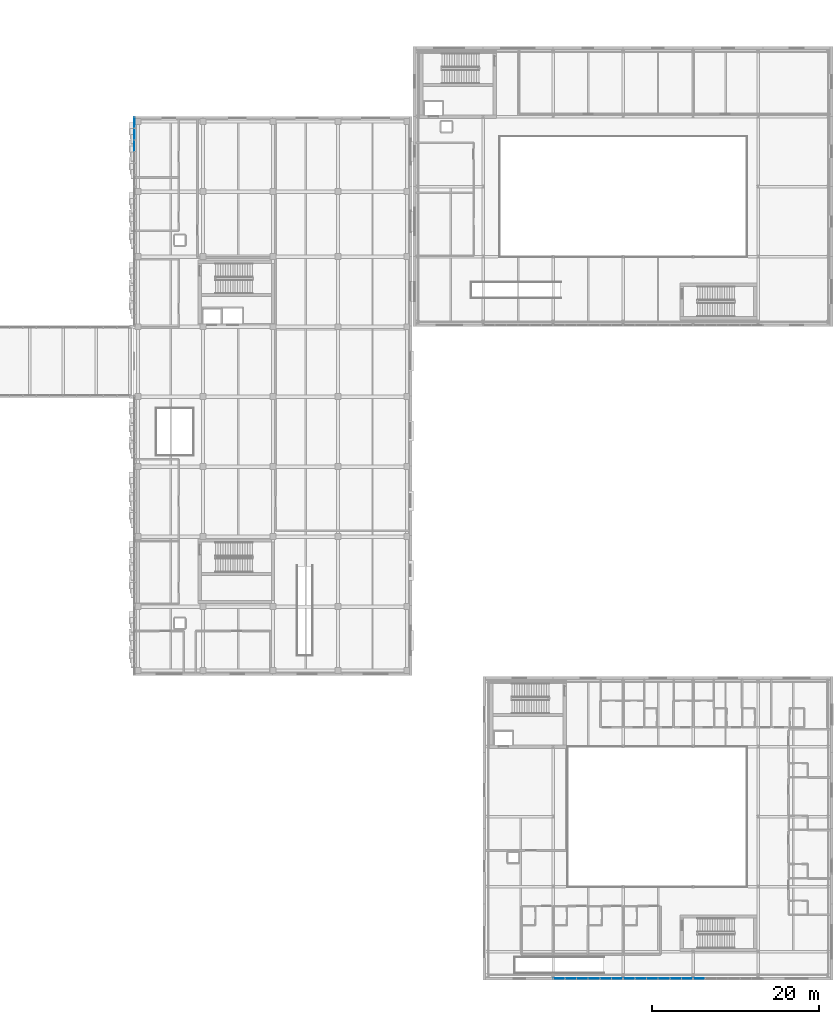
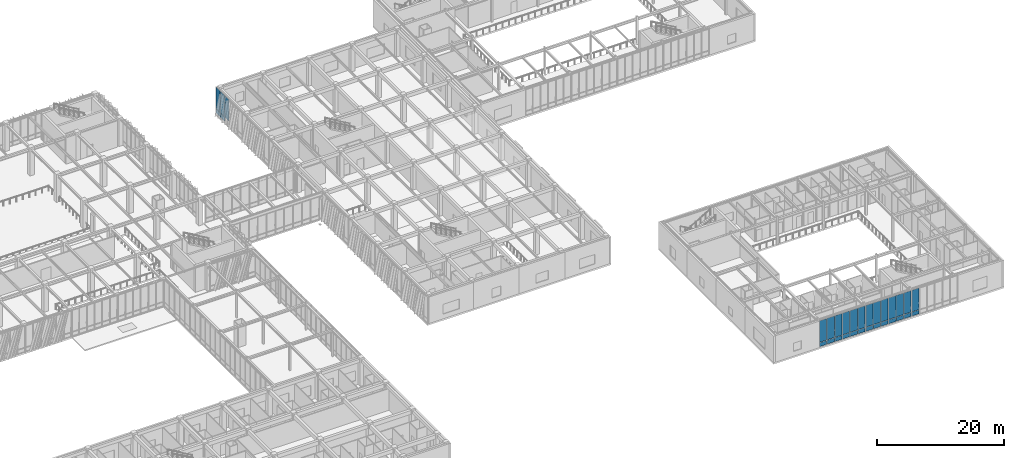
# One storey, part 98 of 139: 31 plates, 4 elements without a shape of their own.
"""IFC4 building model written with IfcOpenShell, lengths in metres."""

from ifc_helpers import new_model, si_unit, direction, frame, origin, origin_2d, place, context, subcontext, project, spatial, rectangle, extrude, material, layer, layer_set, type_object, element, aggregate, save


model = new_model("IFC4")

# Units and contexts
model_context = context("Model", 3, precision=1e-05, world=origin(), true_north=direction((0.0, 1.0)))
body_context = subcontext(model_context, "Body", "Model", "MODEL_VIEW")
ifc_project = project(units=[si_unit("LENGTHUNIT", "METRE"), si_unit("AREAUNIT", "SQUARE_METRE"), si_unit("VOLUMEUNIT", "CUBIC_METRE"), si_unit("PLANEANGLEUNIT", "RADIAN"), si_unit("MASSUNIT", "GRAM", prefix="KILO")], contexts=[model_context])

# Site, building, storey
site_placement = place(None, origin())
site = spatial("IfcSite", under=ifc_project, at=site_placement, CompositionType="ELEMENT")
building_placement = place(site_placement, origin())
building = spatial("IfcBuilding", under=site, at=building_placement, Name="Zayran Congress Hotel", CompositionType="ELEMENT")
storey_placement = place(building_placement, frame((0.0, 0.0, 5.39990234375)))
storey = spatial("IfcBuildingStorey", under=building, at=storey_placement, Name="L01", CompositionType="ELEMENT", Elevation=5.39990234375)

# Curtain wall, plates
ifc_material_1 = material(Name="Anodised aluminium and low-E insulated glass", Category="aluminium")
ifc_layer_1 = layer(ifc_material_1, 0.179931640625)
ifc_layer_set_1 = layer_set([ifc_layer_1], Name="Anodised aluminium and low-E insulated glass")
curtain_wall_type_1 = type_object("IfcCurtainWallType", Name="CW-V3S-L01-CW-V32-8395-5100", PredefinedType="USERDEFINED", material=ifc_layer_set_1)
curtain_wall_1_placement = place(storey_placement, origin())
curtain_wall_1 = element("IfcCurtainWall", 1, at=curtain_wall_1_placement, inside=storey, type_object=curtain_wall_type_1, Name="CW-V3S-L01-1", ObjectType="CURTAIN WALL", PredefinedType="USERDEFINED")
ifc_material_2 = material(Name="Insulated warm bronze aluminium spandrel panel", Category="aluminium")
ifc_layer_2 = layer(ifc_material_2, 0.06005859375)
ifc_layer_set_2 = layer_set([ifc_layer_2], Name="Insulated warm bronze aluminium spandrel panel")
plate_type_1 = type_object("IfcPlateType", Name="CWP-SP-1279-750", PredefinedType="CURTAIN_PANEL", material=ifc_layer_set_2)
plate_1_placement = place(storey_placement, frame((160.319580078125, 6.159912109375, 0.06005859375), z_axis=(0.0, 0.0, 1.0), x_axis=(1.0, 0.0, 0.0)))
plate_1 = element("IfcPlate", 2, at=plate_1_placement, type_object=plate_type_1, Name="CW-V32 Spandrel Panel 1", PredefinedType="CURTAIN_PANEL", context=body_context, shape_type="SweptSolid", body=[
    extrude(rectangle(XDim=1.279296875, YDim=0.06005859375, at=origin_2d()), origin(), (0.0, 0.0, 1.0), 0.75),
])
plate_2_placement = place(storey_placement, frame((161.69873046875, 6.159912109375, 0.06005859375), z_axis=(0.0, 0.0, 1.0), x_axis=(1.0, 0.0, 0.0)))
plate_2 = element("IfcPlate", 3, at=plate_2_placement, type_object=plate_type_1, Name="CW-V32 Spandrel Panel 2", PredefinedType="CURTAIN_PANEL", context=body_context, shape_type="SweptSolid", body=[
    extrude(rectangle(XDim=1.319091796875, YDim=0.06005859375, at=origin_2d()), origin(), (0.0, 0.0, 1.0), 0.75),
])
plate_3_placement = place(storey_placement, frame((163.097900390625, 6.159912109375, 0.06005859375), z_axis=(0.0, 0.0, 1.0), x_axis=(1.0, 0.0, 0.0)))
plate_3 = element("IfcPlate", 4, at=plate_3_placement, type_object=plate_type_1, Name="CW-V32 Spandrel Panel 3", PredefinedType="CURTAIN_PANEL", context=body_context, shape_type="SweptSolid", body=[
    extrude(rectangle(XDim=1.319091796875, YDim=0.06005859375, at=origin_2d()), origin(), (0.0, 0.0, 1.0), 0.75),
])
plate_4_placement = place(storey_placement, frame((164.4970703125, 6.159912109375, 0.06005859375), z_axis=(0.0, 0.0, 1.0), x_axis=(1.0, 0.0, 0.0)))
plate_4 = element("IfcPlate", 5, at=plate_4_placement, type_object=plate_type_1, Name="CW-V32 Spandrel Panel 4", PredefinedType="CURTAIN_PANEL", context=body_context, shape_type="SweptSolid", body=[
    extrude(rectangle(XDim=1.319091796875, YDim=0.06005859375, at=origin_2d()), origin(), (0.0, 0.0, 1.0), 0.75),
])
plate_5_placement = place(storey_placement, frame((165.896240234375, 6.159912109375, 0.06005859375), z_axis=(0.0, 0.0, 1.0), x_axis=(1.0, 0.0, 0.0)))
plate_5 = element("IfcPlate", 6, at=plate_5_placement, type_object=plate_type_1, Name="CW-V32 Spandrel Panel 5", PredefinedType="CURTAIN_PANEL", context=body_context, shape_type="SweptSolid", body=[
    extrude(rectangle(XDim=1.319091796875, YDim=0.06005859375, at=origin_2d()), origin(), (0.0, 0.0, 1.0), 0.75),
])
plate_6_placement = place(storey_placement, frame((167.275390625, 6.159912109375, 0.06005859375), z_axis=(0.0, 0.0, 1.0), x_axis=(1.0, 0.0, 0.0)))
plate_6 = element("IfcPlate", 7, at=plate_6_placement, type_object=plate_type_1, Name="CW-V32 Spandrel Panel 6", PredefinedType="CURTAIN_PANEL", context=body_context, shape_type="SweptSolid", body=[
    extrude(rectangle(XDim=1.279296875, YDim=0.06005859375, at=origin_2d()), origin(), (0.0, 0.0, 1.0), 0.75),
])

# Curtain wall, plate
curtain_wall_2_placement = place(storey_placement, origin())
curtain_wall_2 = element("IfcCurtainWall", 8, at=curtain_wall_2_placement, inside=storey, type_object=curtain_wall_type_1, Name="CW-V3S-L01-3", ObjectType="CURTAIN WALL", PredefinedType="USERDEFINED")
plate_7_placement = place(storey_placement, frame((177.12451171875, 6.159912109375, 0.06005859375), z_axis=(0.0, 0.0, 1.0), x_axis=(1.0, 0.0, 0.0)))
plate_7 = element("IfcPlate", 9, at=plate_7_placement, type_object=plate_type_1, Name="CW-V32 Spandrel Panel 1", PredefinedType="CURTAIN_PANEL", context=body_context, shape_type="SweptSolid", body=[
    extrude(rectangle(XDim=1.279296875, YDim=0.06005859375, at=origin_2d()), origin(), (0.0, 0.0, 1.0), 0.75),
])

# Curtain wall, plates
ifc_layer_3 = layer(ifc_material_1, 0.179931640625)
ifc_layer_set_3 = layer_set([ifc_layer_3], Name="Anodised aluminium and low-E insulated glass")
curtain_wall_type_2 = type_object("IfcCurtainWallType", Name="CW-V3S-L01-CW-V31-8390-5100", PredefinedType="USERDEFINED", material=ifc_layer_set_3)
curtain_wall_3_placement = place(storey_placement, origin())
curtain_wall_3 = element("IfcCurtainWall", 10, at=curtain_wall_3_placement, inside=storey, type_object=curtain_wall_type_2, Name="CW-V3S-L01-2", ObjectType="CURTAIN WALL", PredefinedType="USERDEFINED")
ifc_layer_4 = layer(ifc_material_2, 0.06005859375)
ifc_layer_set_4 = layer_set([ifc_layer_4], Name="Insulated warm bronze aluminium spandrel panel")
plate_type_2 = type_object("IfcPlateType", Name="CWP-SP-1278-750", PredefinedType="CURTAIN_PANEL", material=ifc_layer_set_4)
plate_8_placement = place(storey_placement, frame((168.72412109375, 6.159912109375, 0.06005859375), z_axis=(0.0, 0.0, 1.0), x_axis=(1.0, 0.0, 0.0)))
plate_8 = element("IfcPlate", 11, at=plate_8_placement, type_object=plate_type_2, Name="CW-V31 Spandrel Panel 1", PredefinedType="CURTAIN_PANEL", context=body_context, shape_type="SweptSolid", body=[
    extrude(rectangle(XDim=1.2783203125, YDim=0.06005859375, at=origin_2d()), origin(), (0.0, 0.0, 1.0), 0.75),
])
plate_9_placement = place(storey_placement, frame((170.1025390625, 6.159912109375, 0.06005859375), z_axis=(0.0, 0.0, 1.0), x_axis=(1.0, 0.0, 0.0)))
plate_9 = element("IfcPlate", 12, at=plate_9_placement, type_object=plate_type_2, Name="CW-V31 Spandrel Panel 2", PredefinedType="CURTAIN_PANEL", context=body_context, shape_type="SweptSolid", body=[
    extrude(rectangle(XDim=1.318359375, YDim=0.06005859375, at=origin_2d()), origin(), (0.0, 0.0, 1.0), 0.75),
])
plate_10_placement = place(storey_placement, frame((171.500732421875, 6.159912109375, 0.06005859375), z_axis=(0.0, 0.0, 1.0), x_axis=(1.0, 0.0, 0.0)))
plate_10 = element("IfcPlate", 13, at=plate_10_placement, type_object=plate_type_2, Name="CW-V31 Spandrel Panel 3", PredefinedType="CURTAIN_PANEL", context=body_context, shape_type="SweptSolid", body=[
    extrude(rectangle(XDim=1.318359375, YDim=0.06005859375, at=origin_2d()), origin(), (0.0, 0.0, 1.0), 0.75),
])
plate_11_placement = place(storey_placement, frame((172.899169921875, 6.159912109375, 0.06005859375), z_axis=(0.0, 0.0, 1.0), x_axis=(1.0, 0.0, 0.0)))
plate_11 = element("IfcPlate", 14, at=plate_11_placement, type_object=plate_type_2, Name="CW-V31 Spandrel Panel 4", PredefinedType="CURTAIN_PANEL", context=body_context, shape_type="SweptSolid", body=[
    extrude(rectangle(XDim=1.318359375, YDim=0.06005859375, at=origin_2d()), origin(), (0.0, 0.0, 1.0), 0.75),
])
plate_12_placement = place(storey_placement, frame((174.297607421875, 6.159912109375, 0.06005859375), z_axis=(0.0, 0.0, 1.0), x_axis=(1.0, 0.0, 0.0)))
plate_12 = element("IfcPlate", 15, at=plate_12_placement, type_object=plate_type_2, Name="CW-V31 Spandrel Panel 5", PredefinedType="CURTAIN_PANEL", context=body_context, shape_type="SweptSolid", body=[
    extrude(rectangle(XDim=1.318359375, YDim=0.06005859375, at=origin_2d()), origin(), (0.0, 0.0, 1.0), 0.75),
])
plate_13_placement = place(storey_placement, frame((175.67578125, 6.159912109375, 0.06005859375), z_axis=(0.0, 0.0, 1.0), x_axis=(1.0, 0.0, 0.0)))
plate_13 = element("IfcPlate", 16, at=plate_13_placement, type_object=plate_type_2, Name="CW-V31 Spandrel Panel 6", PredefinedType="CURTAIN_PANEL", context=body_context, shape_type="SweptSolid", body=[
    extrude(rectangle(XDim=1.2783203125, YDim=0.06005859375, at=origin_2d()), origin(), (0.0, 0.0, 1.0), 0.75),
])

# Plate
ifc_layer_5 = layer(ifc_material_1, 0.028076171875)
ifc_layer_set_5 = layer_set([ifc_layer_5], Name="Anodised aluminium and low-E insulated glass")
plate_type_3 = type_object("IfcPlateType", Name="CWP-GL-1279-4170", PredefinedType="CURTAIN_PANEL", material=ifc_layer_set_5)
plate_14_placement = place(storey_placement, frame((160.319580078125, 6.159912109375, 0.8701171875), z_axis=(0.0, 0.0, 1.0), x_axis=(1.0, 0.0, 0.0)))
plate_14 = element("IfcPlate", 17, at=plate_14_placement, type_object=plate_type_3, Name="CW-V32 Glazed Panel 1", PredefinedType="CURTAIN_PANEL", context=body_context, shape_type="SweptSolid", body=[
    extrude(rectangle(XDim=1.279296875, YDim=0.028076171875, at=origin_2d()), origin(), (0.0, 0.0, 1.0), 4.169921875),
])

plate_15_placement = place(storey_placement, frame((161.69873046875, 6.159912109375, 0.8701171875), z_axis=(0.0, 0.0, 1.0), x_axis=(1.0, 0.0, 0.0)))
plate_15 = element("IfcPlate", 18, at=plate_15_placement, type_object=plate_type_3, Name="CW-V32 Glazed Panel 2", PredefinedType="CURTAIN_PANEL", context=body_context, shape_type="SweptSolid", body=[
    extrude(rectangle(XDim=1.319091796875, YDim=0.028076171875, at=origin_2d()), origin(), (0.0, 0.0, 1.0), 4.169921875),
])

plate_16_placement = place(storey_placement, frame((163.097900390625, 6.159912109375, 0.8701171875), z_axis=(0.0, 0.0, 1.0), x_axis=(1.0, 0.0, 0.0)))
plate_16 = element("IfcPlate", 19, at=plate_16_placement, type_object=plate_type_3, Name="CW-V32 Glazed Panel 3", PredefinedType="CURTAIN_PANEL", context=body_context, shape_type="SweptSolid", body=[
    extrude(rectangle(XDim=1.319091796875, YDim=0.028076171875, at=origin_2d()), origin(), (0.0, 0.0, 1.0), 4.169921875),
])

plate_17_placement = place(storey_placement, frame((164.4970703125, 6.159912109375, 0.8701171875), z_axis=(0.0, 0.0, 1.0), x_axis=(1.0, 0.0, 0.0)))
plate_17 = element("IfcPlate", 20, at=plate_17_placement, type_object=plate_type_3, Name="CW-V32 Glazed Panel 4", PredefinedType="CURTAIN_PANEL", context=body_context, shape_type="SweptSolid", body=[
    extrude(rectangle(XDim=1.319091796875, YDim=0.028076171875, at=origin_2d()), origin(), (0.0, 0.0, 1.0), 4.169921875),
])

plate_18_placement = place(storey_placement, frame((165.896240234375, 6.159912109375, 0.8701171875), z_axis=(0.0, 0.0, 1.0), x_axis=(1.0, 0.0, 0.0)))
plate_18 = element("IfcPlate", 21, at=plate_18_placement, type_object=plate_type_3, Name="CW-V32 Glazed Panel 5", PredefinedType="CURTAIN_PANEL", context=body_context, shape_type="SweptSolid", body=[
    extrude(rectangle(XDim=1.319091796875, YDim=0.028076171875, at=origin_2d()), origin(), (0.0, 0.0, 1.0), 4.169921875),
])

plate_19_placement = place(storey_placement, frame((167.275390625, 6.159912109375, 0.8701171875), z_axis=(0.0, 0.0, 1.0), x_axis=(1.0, 0.0, 0.0)))
plate_19 = element("IfcPlate", 22, at=plate_19_placement, type_object=plate_type_3, Name="CW-V32 Glazed Panel 6", PredefinedType="CURTAIN_PANEL", context=body_context, shape_type="SweptSolid", body=[
    extrude(rectangle(XDim=1.279296875, YDim=0.028076171875, at=origin_2d()), origin(), (0.0, 0.0, 1.0), 4.169921875),
])

aggregate(curtain_wall_1, [plate_1, plate_14, plate_2, plate_15, plate_3, plate_16, plate_4, plate_17, plate_5, plate_18, plate_6, plate_19])

plate_20_placement = place(storey_placement, frame((177.12451171875, 6.159912109375, 0.8701171875), z_axis=(0.0, 0.0, 1.0), x_axis=(1.0, 0.0, 0.0)))
plate_20 = element("IfcPlate", 23, at=plate_20_placement, type_object=plate_type_3, Name="CW-V32 Glazed Panel 1", PredefinedType="CURTAIN_PANEL", context=body_context, shape_type="SweptSolid", body=[
    extrude(rectangle(XDim=1.279296875, YDim=0.028076171875, at=origin_2d()), origin(), (0.0, 0.0, 1.0), 4.169921875),
])

aggregate(curtain_wall_2, [plate_7, plate_20])

ifc_layer_6 = layer(ifc_material_1, 0.028076171875)
ifc_layer_set_6 = layer_set([ifc_layer_6], Name="Anodised aluminium and low-E insulated glass")
plate_type_4 = type_object("IfcPlateType", Name="CWP-GL-1278-4170", PredefinedType="CURTAIN_PANEL", material=ifc_layer_set_6)
plate_21_placement = place(storey_placement, frame((168.72412109375, 6.159912109375, 0.8701171875), z_axis=(0.0, 0.0, 1.0), x_axis=(1.0, 0.0, 0.0)))
plate_21 = element("IfcPlate", 24, at=plate_21_placement, type_object=plate_type_4, Name="CW-V31 Glazed Panel 1", PredefinedType="CURTAIN_PANEL", context=body_context, shape_type="SweptSolid", body=[
    extrude(rectangle(XDim=1.2783203125, YDim=0.028076171875, at=origin_2d()), origin(), (0.0, 0.0, 1.0), 4.169921875),
])

plate_22_placement = place(storey_placement, frame((170.1025390625, 6.159912109375, 0.8701171875), z_axis=(0.0, 0.0, 1.0), x_axis=(1.0, 0.0, 0.0)))
plate_22 = element("IfcPlate", 25, at=plate_22_placement, type_object=plate_type_4, Name="CW-V31 Glazed Panel 2", PredefinedType="CURTAIN_PANEL", context=body_context, shape_type="SweptSolid", body=[
    extrude(rectangle(XDim=1.318359375, YDim=0.028076171875, at=origin_2d()), origin(), (0.0, 0.0, 1.0), 4.169921875),
])

plate_23_placement = place(storey_placement, frame((171.500732421875, 6.159912109375, 0.8701171875), z_axis=(0.0, 0.0, 1.0), x_axis=(1.0, 0.0, 0.0)))
plate_23 = element("IfcPlate", 26, at=plate_23_placement, type_object=plate_type_4, Name="CW-V31 Glazed Panel 3", PredefinedType="CURTAIN_PANEL", context=body_context, shape_type="SweptSolid", body=[
    extrude(rectangle(XDim=1.318359375, YDim=0.028076171875, at=origin_2d()), origin(), (0.0, 0.0, 1.0), 4.169921875),
])

plate_24_placement = place(storey_placement, frame((172.899169921875, 6.159912109375, 0.8701171875), z_axis=(0.0, 0.0, 1.0), x_axis=(1.0, 0.0, 0.0)))
plate_24 = element("IfcPlate", 27, at=plate_24_placement, type_object=plate_type_4, Name="CW-V31 Glazed Panel 4", PredefinedType="CURTAIN_PANEL", context=body_context, shape_type="SweptSolid", body=[
    extrude(rectangle(XDim=1.318359375, YDim=0.028076171875, at=origin_2d()), origin(), (0.0, 0.0, 1.0), 4.169921875),
])

plate_25_placement = place(storey_placement, frame((174.297607421875, 6.159912109375, 0.8701171875), z_axis=(0.0, 0.0, 1.0), x_axis=(1.0, 0.0, 0.0)))
plate_25 = element("IfcPlate", 28, at=plate_25_placement, type_object=plate_type_4, Name="CW-V31 Glazed Panel 5", PredefinedType="CURTAIN_PANEL", context=body_context, shape_type="SweptSolid", body=[
    extrude(rectangle(XDim=1.318359375, YDim=0.028076171875, at=origin_2d()), origin(), (0.0, 0.0, 1.0), 4.169921875),
])

plate_26_placement = place(storey_placement, frame((175.67578125, 6.159912109375, 0.8701171875), z_axis=(0.0, 0.0, 1.0), x_axis=(1.0, 0.0, 0.0)))
plate_26 = element("IfcPlate", 29, at=plate_26_placement, type_object=plate_type_4, Name="CW-V31 Glazed Panel 6", PredefinedType="CURTAIN_PANEL", context=body_context, shape_type="SweptSolid", body=[
    extrude(rectangle(XDim=1.2783203125, YDim=0.028076171875, at=origin_2d()), origin(), (0.0, 0.0, 1.0), 4.169921875),
])

aggregate(curtain_wall_3, [plate_8, plate_21, plate_9, plate_22, plate_10, plate_23, plate_11, plate_24, plate_12, plate_25, plate_13, plate_26])

# Curtain wall, plates
ifc_layer_7 = layer(ifc_material_1, 0.179931640625)
ifc_layer_set_7 = layer_set([ifc_layer_7], Name="Anodised aluminium and low-E insulated glass")
curtain_wall_type_3 = type_object("IfcCurtainWallType", Name="CW-V4W-L01-CW-52-8376-5100", PredefinedType="USERDEFINED", material=ifc_layer_set_7)
curtain_wall_4_placement = place(storey_placement, origin())
curtain_wall_4 = element("IfcCurtainWall", 30, at=curtain_wall_4_placement, inside=storey, type_object=curtain_wall_type_3, Name="CW-V4W-L01-7", ObjectType="CURTAIN WALL", PredefinedType="USERDEFINED")
ifc_layer_8 = layer(ifc_material_1, 0.028076171875)
ifc_layer_set_8 = layer_set([ifc_layer_8], Name="Anodised aluminium and low-E insulated glass")
plate_type_5 = type_object("IfcPlateType", Name="CWP-GL-1276-4170", PredefinedType="CURTAIN_PANEL", material=ifc_layer_set_8)
plate_27_placement = place(storey_placement, frame((109.35009765625, 108.882080078125, 0.8701171875), z_axis=(0.0, 0.0, 1.0), x_axis=(0.0, 1.0, 0.0)))
plate_27 = element("IfcPlate", 31, at=plate_27_placement, type_object=plate_type_5, Name="CW-52 Glazed Panel 1", PredefinedType="CURTAIN_PANEL", context=body_context, shape_type="SweptSolid", body=[
    extrude(rectangle(XDim=1.27587890625, YDim=0.028076171875, at=origin_2d()), origin(), (0.0, 0.0, 1.0), 4.169921875),
])
plate_28_placement = place(storey_placement, frame((109.35009765625, 107.506103515625, 0.8701171875), z_axis=(0.0, 0.0, 1.0), x_axis=(0.0, 1.0, 0.0)))
plate_28 = element("IfcPlate", 32, at=plate_28_placement, type_object=plate_type_5, Name="CW-52 Glazed Panel 2", PredefinedType="CURTAIN_PANEL", context=body_context, shape_type="SweptSolid", body=[
    extrude(rectangle(XDim=1.31591796875, YDim=0.028076171875, at=origin_2d()), origin(), (0.0, 0.0, 1.0), 4.169921875),
])
plate_29_placement = place(storey_placement, frame((109.35009765625, 106.110107421875, 0.8701171875), z_axis=(0.0, 0.0, 1.0), x_axis=(0.0, 1.0, 0.0)))
plate_29 = element("IfcPlate", 33, at=plate_29_placement, type_object=plate_type_5, Name="CW-52 Glazed Panel 3", PredefinedType="CURTAIN_PANEL", context=body_context, shape_type="SweptSolid", body=[
    extrude(rectangle(XDim=1.31591796875, YDim=0.028076171875, at=origin_2d()), origin(), (0.0, 0.0, 1.0), 4.169921875),
])
ifc_layer_9 = layer(ifc_material_2, 0.06005859375)
ifc_layer_set_9 = layer_set([ifc_layer_9], Name="Insulated warm bronze aluminium spandrel panel")
plate_type_6 = type_object("IfcPlateType", Name="CWP-SP-1276-750", PredefinedType="CURTAIN_PANEL", material=ifc_layer_set_9)
plate_30_placement = place(storey_placement, frame((109.35009765625, 108.882080078125, 0.06005859375), z_axis=(0.0, 0.0, 1.0), x_axis=(0.0, 1.0, 0.0)))
plate_30 = element("IfcPlate", 34, at=plate_30_placement, type_object=plate_type_6, Name="CW-52 Spandrel Panel 1", PredefinedType="CURTAIN_PANEL", context=body_context, shape_type="SweptSolid", body=[
    extrude(rectangle(XDim=1.27587890625, YDim=0.06005859375, at=origin_2d()), origin(), (0.0, 0.0, 1.0), 0.75),
])
plate_31_placement = place(storey_placement, frame((109.35009765625, 107.506103515625, 0.06005859375), z_axis=(0.0, 0.0, 1.0), x_axis=(0.0, 1.0, 0.0)))
plate_31 = element("IfcPlate", 35, at=plate_31_placement, type_object=plate_type_6, Name="CW-52 Spandrel Panel 2", PredefinedType="CURTAIN_PANEL", context=body_context, shape_type="SweptSolid", body=[
    extrude(rectangle(XDim=1.31591796875, YDim=0.06005859375, at=origin_2d()), origin(), (0.0, 0.0, 1.0), 0.75),
])
aggregate(curtain_wall_4, [plate_30, plate_27, plate_31, plate_28, plate_29])

save(model, "model.ifc")
